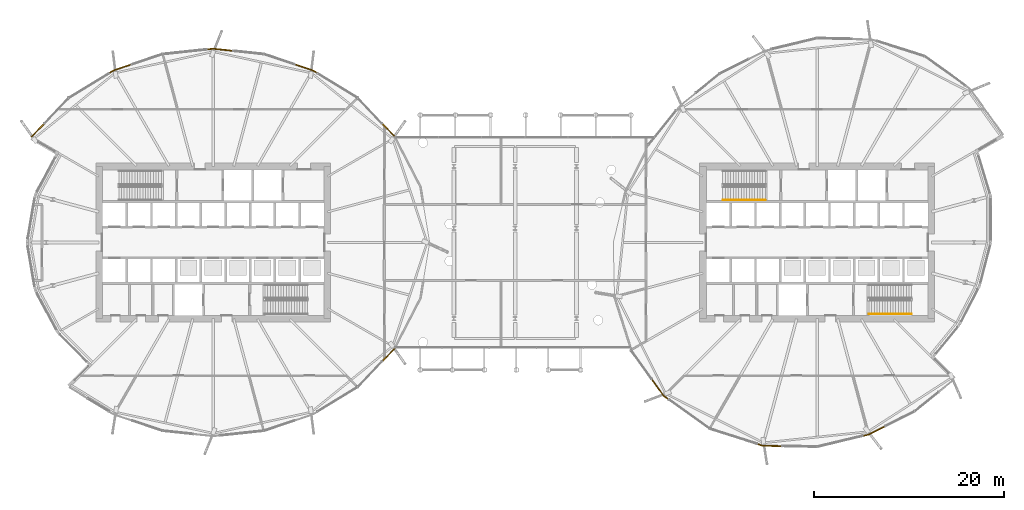
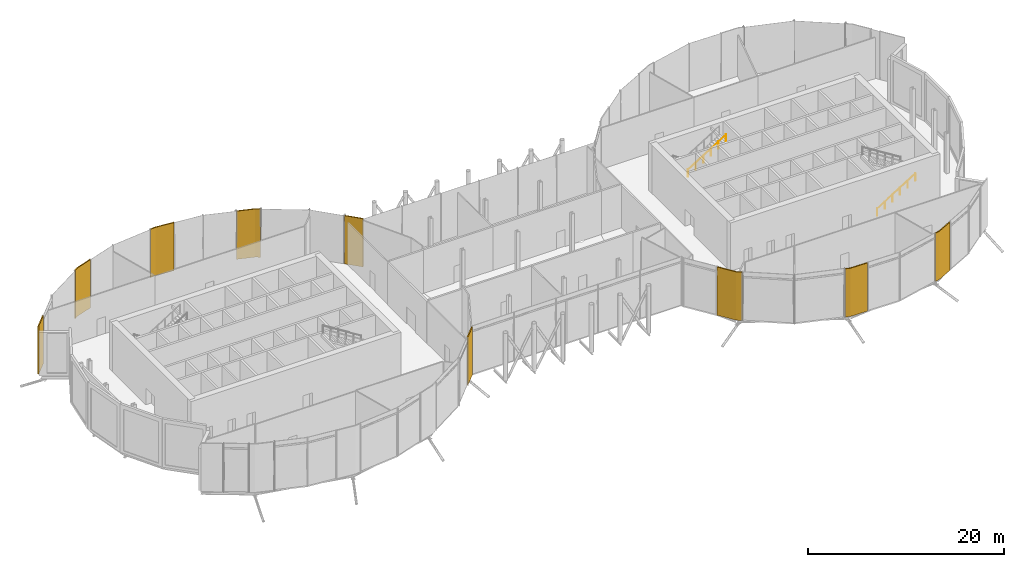
# One storey, part 35 of 38: 9 coverings, 2 railings.
"""IFC4 building model written with IfcOpenShell, lengths in metres."""

from ifc_helpers import new_model, si_unit, direction, frame, origin, origin_2d, place, context, subcontext, project, spatial, polyline, circle, outline, extrude, material, layer, layer_set, type_object, element, save


model = new_model("IFC4")

# Units and contexts
model_context = context("Model", 3, precision=1e-05, world=origin(), true_north=direction((0.0, 1.0)))
body_context = subcontext(model_context, "Body", "Model", "MODEL_VIEW")
ifc_project = project(units=[si_unit("LENGTHUNIT", "METRE"), si_unit("AREAUNIT", "SQUARE_METRE"), si_unit("VOLUMEUNIT", "CUBIC_METRE"), si_unit("PLANEANGLEUNIT", "RADIAN"), si_unit("MASSUNIT", "GRAM", prefix="KILO")], contexts=[model_context])

# Site, building, storey
site_placement = place(None, origin())
site = spatial("IfcSite", under=ifc_project, at=site_placement, CompositionType="ELEMENT")
building_placement = place(site_placement, origin())
building = spatial("IfcBuilding", under=site, at=building_placement, Name="Rimbun Link Towers", CompositionType="ELEMENT")
storey_placement = place(building_placement, frame((0.0, 0.0, 133.199951171875)))
storey = spatial("IfcBuildingStorey", under=building, at=storey_placement, Name="L32", CompositionType="ELEMENT", Elevation=133.199951171875)

# Coverings
ifc_material_1 = material(Name="Terracotta", Category="masonry")
ifc_layer = layer(ifc_material_1, 0.1201171875)
ifc_layer_set = layer_set([ifc_layer], Name="LINK PIER terracotta cladding 120")
covering_type = type_object("IfcCoveringType", Name="LINK PIER terracotta cladding 120", PredefinedType="CLADDING", material=ifc_layer_set)
covering_1_placement = place(storey_placement, origin())
element("IfcCovering", 1, at=covering_1_placement, inside=storey, type_object=covering_type, Name="LINK PIER cladding", PredefinedType="CLADDING", context=body_context, shape_type="SweptSolid", body=[
    extrude(outline(polyline([(-14.006591796875, 12.453369140625), (-12.6640625, 11.052978515625), (-12.577392578125, 11.135986328125), (-13.919921875, 12.536376953125), (-14.006591796875, 12.453369140625)])), origin(), (0.0, 0.0, 1.0), 6.0),
])
covering_2_placement = place(storey_placement, origin())
element("IfcCovering", 2, at=covering_2_placement, inside=storey, type_object=covering_type, Name="LINK PIER cladding", PredefinedType="CLADDING", context=body_context, shape_type="SweptSolid", body=[
    extrude(outline(polyline([(-23.14697265625, 18.661376953125), (-21.324462890625, 18.0576171875), (-20.8388671875, 17.75927734375), (-20.77587890625, 17.861572265625), (-21.2734375, 18.1669921875), (-23.109375, 18.775390625), (-23.14697265625, 18.661376953125)])), origin(), (0.0, 0.0, 1.0), 6.0),
])
covering_3_placement = place(storey_placement, origin())
element("IfcCovering", 3, at=covering_3_placement, inside=storey, type_object=covering_type, Name="LINK PIER cladding", PredefinedType="CLADDING", context=body_context, shape_type="SweptSolid", body=[
    extrude(outline(polyline([(-32.36669921875, 20.250732421875), (-31.75, 20.315673828125), (-29.69140625, 20.098876953125), (-29.6787109375, 20.218017578125), (-31.75, 20.436279296875), (-32.379150390625, 20.3701171875), (-32.36669921875, 20.250732421875)])), origin(), (0.0, 0.0, 1.0), 6.0),
])
covering_4_placement = place(storey_placement, origin())
element("IfcCovering", 4, at=covering_4_placement, inside=storey, type_object=covering_type, Name="LINK PIER cladding", PredefinedType="CLADDING", context=body_context, shape_type="SweptSolid", body=[
    extrude(outline(polyline([(-42.6611328125, 17.75927734375), (-42.175537109375, 18.0576171875), (-40.35302734375, 18.661376953125), (-40.390625, 18.775390625), (-42.2265625, 18.1669921875), (-42.72412109375, 17.861572265625), (-42.6611328125, 17.75927734375)])), origin(), (0.0, 0.0, 1.0), 6.0),
])
covering_5_placement = place(storey_placement, origin())
element("IfcCovering", 5, at=covering_5_placement, inside=storey, type_object=covering_type, Name="LINK PIER cladding", PredefinedType="CLADDING", context=body_context, shape_type="SweptSolid", body=[
    extrude(outline(polyline([(-50.8359375, 11.052978515625), (-49.493408203125, 12.453369140625), (-49.580078125, 12.536376953125), (-50.922607421875, 11.135986328125), (-50.8359375, 11.052978515625)])), origin(), (0.0, 0.0, 1.0), 6.0),
])
covering_6_placement = place(storey_placement, origin())
element("IfcCovering", 6, at=covering_6_placement, inside=storey, type_object=covering_type, Name="LINK PIER cladding", PredefinedType="CLADDING", context=body_context, shape_type="SweptSolid", body=[
    extrude(outline(polyline([(-12.6640625, -11.052978515625), (-14.006591796875, -12.453369140625), (-13.919921875, -12.536376953125), (-12.577392578125, -11.135986328125), (-12.6640625, -11.052978515625)])), origin(), (0.0, 0.0, 1.0), 6.0),
])
covering_7_placement = place(storey_placement, origin())
element("IfcCovering", 7, at=covering_7_placement, inside=storey, type_object=covering_type, Name="LINK PIER cladding", PredefinedType="CLADDING", context=body_context, shape_type="SweptSolid", body=[
    extrude(outline(polyline([(16.16455078125, -16.45068359375), (15.660888671875, -16.089111328125), (14.4248046875, -14.36669921875), (14.327392578125, -14.4365234375), (15.574951171875, -16.175048828125), (16.0947265625, -16.548095703125), (16.16455078125, -16.45068359375)])), origin(), (0.0, 0.0, 1.0), 6.0),
])
covering_8_placement = place(storey_placement, origin())
element("IfcCovering", 8, at=covering_8_placement, inside=storey, type_object=covering_type, Name="LINK PIER cladding", PredefinedType="CLADDING", context=body_context, shape_type="SweptSolid", body=[
    extrude(outline(polyline([(28.00927734375, -21.352294921875), (26.039794921875, -21.310791015625), (25.49658203125, -21.13818359375), (25.460205078125, -21.25244140625), (26.02001953125, -21.430419921875), (28.0068359375, -21.472412109375), (28.00927734375, -21.352294921875)])), origin(), (0.0, 0.0, 1.0), 6.0),
])
covering_9_placement = place(storey_placement, origin())
element("IfcCovering", 9, at=covering_9_placement, inside=storey, type_object=covering_type, Name="LINK PIER cladding", PredefinedType="CLADDING", context=body_context, shape_type="SweptSolid", body=[
    extrude(outline(polyline([(38.862548828125, -19.279052734375), (37.146728515625, -20.140625), (36.59228515625, -20.273193359375), (36.620361328125, -20.389892578125), (37.188232421875, -20.254150390625), (38.916259765625, -19.38623046875), (38.862548828125, -19.279052734375)])), origin(), (0.0, 0.0, 1.0), 6.0),
])

# Railings
ifc_material_2 = material(Name="Stainless steel grade 316", Category="steel")
railing_type = type_object("IfcRailingType", Name="Stair handrail", PredefinedType="HANDRAIL", material=ifc_material_2)
for number, where, name in (
    (10, (21.820068359375, 4.449951171875, 3.176513671875), "L32 ST3 stair handrail 2"),
    (11, (37.199951171875, -7.5, 0.176513671875), "L32 ST4 stair handrail 1"),
):
    element("IfcRailing", number, at=place(storey_placement, frame(where)), inside=storey, type_object=railing_type, Name=name, PredefinedType="HANDRAIL", context=body_context, shape_type="SweptSolid", body=[
        extrude(circle(Radius=0.02392578125, at=origin_2d()), frame((0.0, 0.0, 0.8759765625), z_axis=(0.845997938375, 0.0, 0.533186166611), x_axis=(0.0, 1.0, 0.0)), (0.0, 0.0, 1.0), 5.29541015625),
        extrude(circle(Radius=0.02099609375, at=origin_2d()), origin(), (0.0, 0.0, 1.0), 0.851806640625),
        extrude(circle(Radius=0.02099609375, at=origin_2d()), frame((0.89599609375, 0.0, 0.564697265625)), (0.0, 0.0, 1.0), 0.851806640625),
        extrude(circle(Radius=0.02099609375, at=origin_2d()), frame((1.7919921875, 0.0, 1.12939453125)), (0.0, 0.0, 1.0), 0.851806640625),
        extrude(circle(Radius=0.02099609375, at=origin_2d()), frame((2.68798828125, 0.0, 1.694091796875)), (0.0, 0.0, 1.0), 0.851806640625),
        extrude(circle(Radius=0.02099609375, at=origin_2d()), frame((3.583984375, 0.0, 2.2587890625)), (0.0, 0.0, 1.0), 0.851806640625),
        extrude(circle(Radius=0.02099609375, at=origin_2d()), frame((4.47998046875, 0.0, 2.823486328125)), (0.0, 0.0, 1.0), 0.851806640625),
    ])

save(model, "model.ifc")
